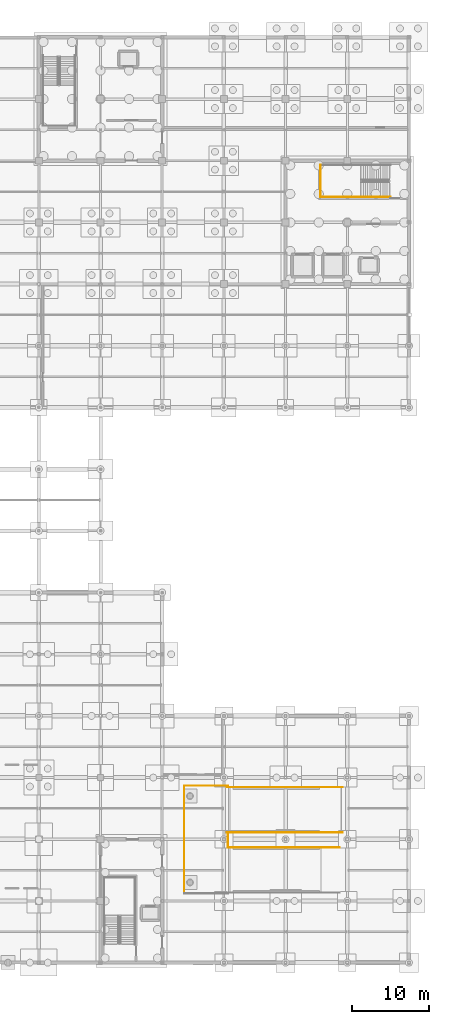
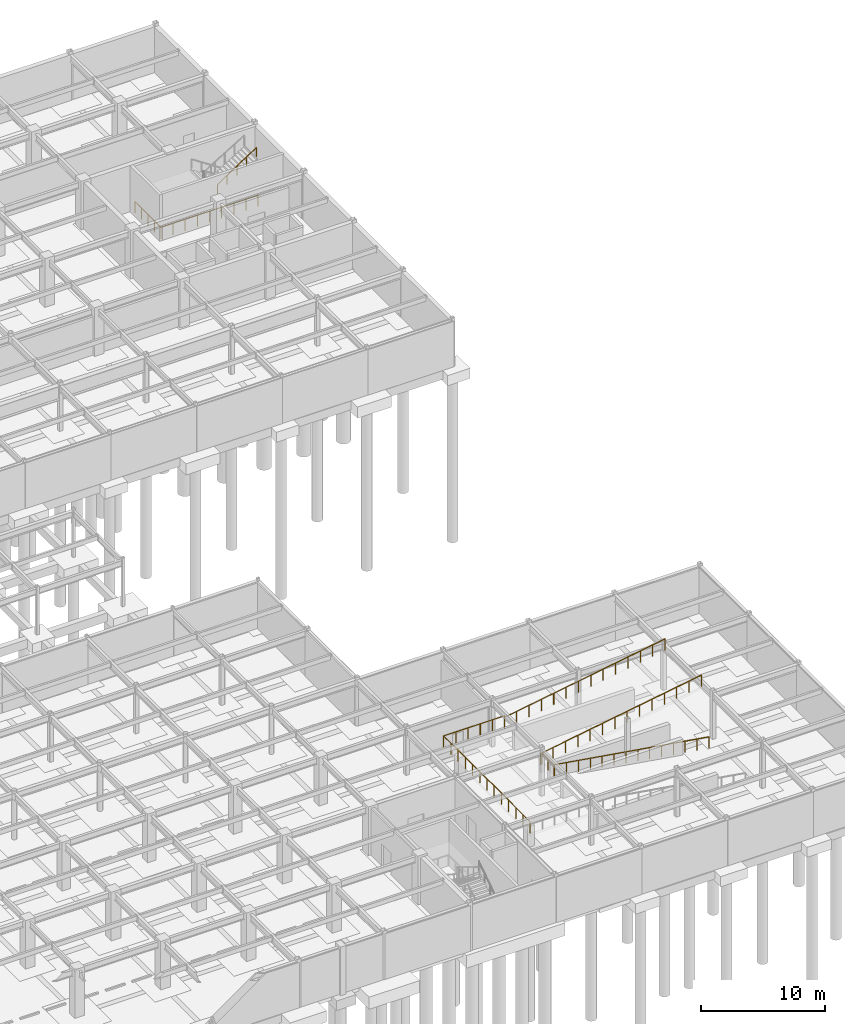
# One storey, part 103 of 105: 9 railings.
"""IFC4 building model written with IfcOpenShell, lengths in metres."""

from ifc_helpers import new_model, si_unit, direction, frame, origin, origin_2d, place, context, subcontext, project, spatial, circle, extrude, material, type_object, element, save


model = new_model("IFC4")

# Units and contexts
model_context = context("Model", 3, precision=1e-05, world=origin(), true_north=direction((0.0, 1.0)))
body_context = subcontext(model_context, "Body", "Model", "MODEL_VIEW")
ifc_project = project(units=[si_unit("LENGTHUNIT", "METRE"), si_unit("AREAUNIT", "SQUARE_METRE"), si_unit("VOLUMEUNIT", "CUBIC_METRE"), si_unit("PLANEANGLEUNIT", "RADIAN"), si_unit("MASSUNIT", "GRAM", prefix="KILO")], contexts=[model_context])

# Site, building, storey
site_placement = place(None, origin())
site = spatial("IfcSite", under=ifc_project, at=site_placement, CompositionType="ELEMENT")
building_placement = place(site_placement, origin())
building = spatial("IfcBuilding", under=site, at=building_placement, Name="Solmirada Galleria", CompositionType="ELEMENT")
storey_placement = place(building_placement, frame((0.0, 0.0, -4.800048828125)))
storey = spatial("IfcBuildingStorey", under=building, at=storey_placement, Name="B1", CompositionType="ELEMENT", Elevation=-4.800048828125)

# Railings
ifc_material = material(Name="Painted steel tubular railing", Category="steel")
railing_type_1 = type_object("IfcRailingType", Name="RAIL-STAIR-GUARD", PredefinedType="GUARDRAIL", material=ifc_material)
railing_1_placement = place(storey_placement, frame((173.6201171875, 99.2900390625, 0.0)))
element("IfcRailing", 1, at=railing_1_placement, inside=storey, type_object=railing_type_1, Name="Stair ST4 well edge guard B1-1", PredefinedType="GUARDRAIL", context=body_context, shape_type="SweptSolid", body=[
    extrude(circle(Radius=0.02392578125, at=origin_2d()), frame((0.0, 0.0, 1.09619140625), z_axis=(-1.0, 0.0, 0.0), x_axis=(0.0, -1.0, 0.0)), (0.0, 0.0, 1.0), 9.080078125),
    extrude(circle(Radius=0.02099609375, at=origin_2d()), origin(), (0.0, 0.0, 1.0), 1.068115234375),
    extrude(circle(Radius=0.02099609375, at=origin_2d()), frame((-1.135009765625, 0.0, 0.0)), (0.0, 0.0, 1.0), 1.068115234375),
    extrude(circle(Radius=0.02099609375, at=origin_2d()), frame((-2.27001953125, 0.0, 0.0)), (0.0, 0.0, 1.0), 1.068115234375),
    extrude(circle(Radius=0.02099609375, at=origin_2d()), frame((-3.405029296875, 0.0, 0.0)), (0.0, 0.0, 1.0), 1.068115234375),
    extrude(circle(Radius=0.02099609375, at=origin_2d()), frame((-4.5400390625, 0.0, 0.0)), (0.0, 0.0, 1.0), 1.068115234375),
    extrude(circle(Radius=0.02099609375, at=origin_2d()), frame((-5.675048828125, 0.0, 0.0)), (0.0, 0.0, 1.0), 1.068115234375),
    extrude(circle(Radius=0.02099609375, at=origin_2d()), frame((-6.81005859375, 0.0, 0.0)), (0.0, 0.0, 1.0), 1.068115234375),
    extrude(circle(Radius=0.02099609375, at=origin_2d()), frame((-7.945068359375, 0.0, 0.0)), (0.0, 0.0, 1.0), 1.068115234375),
    extrude(circle(Radius=0.02099609375, at=origin_2d()), frame((-9.080078125, 0.0, 0.0)), (0.0, 0.0, 1.0), 1.068115234375),
])
railing_2_placement = place(storey_placement, frame((164.5400390625, 99.2900390625, 0.0)))
element("IfcRailing", 2, at=railing_2_placement, inside=storey, type_object=railing_type_1, Name="Stair ST4 well edge guard B1-2", PredefinedType="GUARDRAIL", context=body_context, shape_type="SweptSolid", body=[
    extrude(circle(Radius=0.02392578125, at=origin_2d()), frame((0.0, 0.0, 1.09619140625), z_axis=(0.0, 1.0, 0.0), x_axis=(-1.0, 0.0, 0.0)), (0.0, 0.0, 1.0), 4.169921875),
    extrude(circle(Radius=0.02099609375, at=origin_2d()), origin(), (0.0, 0.0, 1.0), 1.068115234375),
    extrude(circle(Radius=0.02099609375, at=origin_2d()), frame((0.0, 1.04248046875, 0.0)), (0.0, 0.0, 1.0), 1.068115234375),
    extrude(circle(Radius=0.02099609375, at=origin_2d()), frame((0.0, 2.0849609375, 0.0)), (0.0, 0.0, 1.0), 1.068115234375),
    extrude(circle(Radius=0.02099609375, at=origin_2d()), frame((0.0, 3.12744140625, 0.0)), (0.0, 0.0, 1.0), 1.068115234375),
    extrude(circle(Radius=0.02099609375, at=origin_2d()), frame((0.0, 4.169921875, 0.0)), (0.0, 0.0, 1.0), 1.068115234375),
])
railing_3_placement = place(storey_placement, frame((167.0, 14.93994140625, 0.0)))
element("IfcRailing", 3, at=railing_3_placement, inside=storey, type_object=railing_type_1, Name="Vehicle ramp safety guardrail B1-2", PredefinedType="GUARDRAIL", context=body_context, shape_type="SweptSolid", body=[
    extrude(circle(Radius=0.02392578125, at=origin_2d()), frame((0.0, 0.0, 1.09619140625), z_axis=(-0.987482700238, 0.0, 0.157727349343), x_axis=(0.0, -1.0, 0.0)), (0.0, 0.0, 1.0), 14.58251953125),
    extrude(circle(Radius=0.02099609375, at=origin_2d()), origin(), (0.0, 0.0, 1.0), 1.068115234375),
    extrude(circle(Radius=0.02099609375, at=origin_2d()), frame((-1.107666015625, 0.0, 0.177001953125)), (0.0, 0.0, 1.0), 1.068115234375),
    extrude(circle(Radius=0.02099609375, at=origin_2d()), frame((-2.21533203125, 0.0, 0.353759765625)), (0.0, 0.0, 1.0), 1.068115234375),
    extrude(circle(Radius=0.02099609375, at=origin_2d()), frame((-3.322998046875, 0.0, 0.53076171875)), (0.0, 0.0, 1.0), 1.068115234375),
    extrude(circle(Radius=0.02099609375, at=origin_2d()), frame((-4.4306640625, 0.0, 0.707763671875)), (0.0, 0.0, 1.0), 1.068115234375),
    extrude(circle(Radius=0.02099609375, at=origin_2d()), frame((-5.538330078125, 0.0, 0.884521484375)), (0.0, 0.0, 1.0), 1.068115234375),
    extrude(circle(Radius=0.02099609375, at=origin_2d()), frame((-6.64599609375, 0.0, 1.0615234375)), (0.0, 0.0, 1.0), 1.068115234375),
    extrude(circle(Radius=0.02099609375, at=origin_2d()), frame((-7.75390625, 0.0, 1.238525390625)), (0.0, 0.0, 1.0), 1.068115234375),
    extrude(circle(Radius=0.02099609375, at=origin_2d()), frame((-8.861572265625, 0.0, 1.41552734375)), (0.0, 0.0, 1.0), 1.068115234375),
    extrude(circle(Radius=0.02099609375, at=origin_2d()), frame((-9.96923828125, 0.0, 1.59228515625)), (0.0, 0.0, 1.0), 1.068115234375),
    extrude(circle(Radius=0.02099609375, at=origin_2d()), frame((-11.076904296875, 0.0, 1.769287109375)), (0.0, 0.0, 1.0), 1.068115234375),
    extrude(circle(Radius=0.02099609375, at=origin_2d()), frame((-12.1845703125, 0.0, 1.9462890625)), (0.0, 0.0, 1.0), 1.068115234375),
    extrude(circle(Radius=0.02099609375, at=origin_2d()), frame((-13.292236328125, 0.0, 2.123046875)), (0.0, 0.0, 1.0), 1.068115234375),
    extrude(circle(Radius=0.02099609375, at=origin_2d()), frame((-14.39990234375, 0.0, 2.300048828125)), (0.0, 0.0, 1.0), 1.068115234375),
])
railing_4_placement = place(storey_placement, frame((152.39990234375, 16.860107421875, 2.300048828125)))
element("IfcRailing", 4, at=railing_4_placement, inside=storey, type_object=railing_type_1, Name="Vehicle ramp safety guardrail B1-3", PredefinedType="GUARDRAIL", context=body_context, shape_type="SweptSolid", body=[
    extrude(circle(Radius=0.02392578125, at=origin_2d()), frame((0.0, 0.0, 1.09619140625), z_axis=(0.986393923832, 0.0, 0.164398987305), x_axis=(0.0, 1.0, 0.0)), (0.0, 0.0, 1.0), 15.206787109375),
    extrude(circle(Radius=0.02099609375, at=origin_2d()), origin(), (0.0, 0.0, 1.0), 1.068115234375),
    extrude(circle(Radius=0.02099609375, at=origin_2d()), frame((1.15380859375, 0.0, 0.1923828125)), (0.0, 0.0, 1.0), 1.068115234375),
    extrude(circle(Radius=0.02099609375, at=origin_2d()), frame((2.3076171875, 0.0, 0.384521484375)), (0.0, 0.0, 1.0), 1.068115234375),
    extrude(circle(Radius=0.02099609375, at=origin_2d()), frame((3.46142578125, 0.0, 0.576904296875)), (0.0, 0.0, 1.0), 1.068115234375),
    extrude(circle(Radius=0.02099609375, at=origin_2d()), frame((4.615478515625, 0.0, 0.769287109375)), (0.0, 0.0, 1.0), 1.068115234375),
    extrude(circle(Radius=0.02099609375, at=origin_2d()), frame((5.769287109375, 0.0, 0.96142578125)), (0.0, 0.0, 1.0), 1.068115234375),
    extrude(circle(Radius=0.02099609375, at=origin_2d()), frame((6.923095703125, 0.0, 1.15380859375)), (0.0, 0.0, 1.0), 1.068115234375),
    extrude(circle(Radius=0.02099609375, at=origin_2d()), frame((8.076904296875, 0.0, 1.34619140625)), (0.0, 0.0, 1.0), 1.068115234375),
    extrude(circle(Radius=0.02099609375, at=origin_2d()), frame((9.230712890625, 0.0, 1.53857421875)), (0.0, 0.0, 1.0), 1.068115234375),
    extrude(circle(Radius=0.02099609375, at=origin_2d()), frame((10.384521484375, 0.0, 1.730712890625)), (0.0, 0.0, 1.0), 1.068115234375),
    extrude(circle(Radius=0.02099609375, at=origin_2d()), frame((11.53857421875, 0.0, 1.923095703125)), (0.0, 0.0, 1.0), 1.068115234375),
    extrude(circle(Radius=0.02099609375, at=origin_2d()), frame((12.6923828125, 0.0, 2.115478515625)), (0.0, 0.0, 1.0), 1.068115234375),
    extrude(circle(Radius=0.02099609375, at=origin_2d()), frame((13.84619140625, 0.0, 2.3076171875)), (0.0, 0.0, 1.0), 1.068115234375),
    extrude(circle(Radius=0.02099609375, at=origin_2d()), frame((15.0, 0.0, 2.5)), (0.0, 0.0, 1.0), 1.068115234375),
])
railing_5_placement = place(storey_placement, frame((152.39990234375, 22.739990234375, 2.300048828125)))
element("IfcRailing", 5, at=railing_5_placement, inside=storey, type_object=railing_type_1, Name="Vehicle ramp safety guardrail B1-4", PredefinedType="GUARDRAIL", context=body_context, shape_type="SweptSolid", body=[
    extrude(circle(Radius=0.02392578125, at=origin_2d()), frame((0.0, 0.0, 1.09619140625), z_axis=(0.986393923832, 0.0, 0.164398987305), x_axis=(0.0, 1.0, 0.0)), (0.0, 0.0, 1.0), 15.206787109375),
    extrude(circle(Radius=0.02099609375, at=origin_2d()), origin(), (0.0, 0.0, 1.0), 1.068115234375),
    extrude(circle(Radius=0.02099609375, at=origin_2d()), frame((1.15380859375, 0.0, 0.1923828125)), (0.0, 0.0, 1.0), 1.068115234375),
    extrude(circle(Radius=0.02099609375, at=origin_2d()), frame((2.3076171875, 0.0, 0.384521484375)), (0.0, 0.0, 1.0), 1.068115234375),
    extrude(circle(Radius=0.02099609375, at=origin_2d()), frame((3.46142578125, 0.0, 0.576904296875)), (0.0, 0.0, 1.0), 1.068115234375),
    extrude(circle(Radius=0.02099609375, at=origin_2d()), frame((4.615478515625, 0.0, 0.769287109375)), (0.0, 0.0, 1.0), 1.068115234375),
    extrude(circle(Radius=0.02099609375, at=origin_2d()), frame((5.769287109375, 0.0, 0.96142578125)), (0.0, 0.0, 1.0), 1.068115234375),
    extrude(circle(Radius=0.02099609375, at=origin_2d()), frame((6.923095703125, 0.0, 1.15380859375)), (0.0, 0.0, 1.0), 1.068115234375),
    extrude(circle(Radius=0.02099609375, at=origin_2d()), frame((8.076904296875, 0.0, 1.34619140625)), (0.0, 0.0, 1.0), 1.068115234375),
    extrude(circle(Radius=0.02099609375, at=origin_2d()), frame((9.230712890625, 0.0, 1.53857421875)), (0.0, 0.0, 1.0), 1.068115234375),
    extrude(circle(Radius=0.02099609375, at=origin_2d()), frame((10.384521484375, 0.0, 1.730712890625)), (0.0, 0.0, 1.0), 1.068115234375),
    extrude(circle(Radius=0.02099609375, at=origin_2d()), frame((11.53857421875, 0.0, 1.923095703125)), (0.0, 0.0, 1.0), 1.068115234375),
    extrude(circle(Radius=0.02099609375, at=origin_2d()), frame((12.6923828125, 0.0, 2.115478515625)), (0.0, 0.0, 1.0), 1.068115234375),
    extrude(circle(Radius=0.02099609375, at=origin_2d()), frame((13.84619140625, 0.0, 2.3076171875)), (0.0, 0.0, 1.0), 1.068115234375),
    extrude(circle(Radius=0.02099609375, at=origin_2d()), frame((15.0, 0.0, 2.5)), (0.0, 0.0, 1.0), 1.068115234375),
])
railing_6_placement = place(storey_placement, frame((146.860107421875, 8.9599609375, 2.300048828125)))
element("IfcRailing", 6, at=railing_6_placement, inside=storey, type_object=railing_type_1, Name="Vehicle ramp safety guardrail B1-6", PredefinedType="GUARDRAIL", context=body_context, shape_type="SweptSolid", body=[
    extrude(circle(Radius=0.02392578125, at=origin_2d()), frame((0.0, 0.0, 1.09619140625), z_axis=(0.0, 1.0, 0.0), x_axis=(-1.0, 0.0, 0.0)), (0.0, 0.0, 1.0), 13.97998046875),
    extrude(circle(Radius=0.02099609375, at=origin_2d()), origin(), (0.0, 0.0, 1.0), 1.068115234375),
    extrude(circle(Radius=0.02099609375, at=origin_2d()), frame((0.0, 1.1650390625, 0.0)), (0.0, 0.0, 1.0), 1.068115234375),
    extrude(circle(Radius=0.02099609375, at=origin_2d()), frame((0.0, 2.330078125, 0.0)), (0.0, 0.0, 1.0), 1.068115234375),
    extrude(circle(Radius=0.02099609375, at=origin_2d()), frame((0.0, 3.4951171875, 0.0)), (0.0, 0.0, 1.0), 1.068115234375),
    extrude(circle(Radius=0.02099609375, at=origin_2d()), frame((0.0, 4.659912109375, 0.0)), (0.0, 0.0, 1.0), 1.068115234375),
    extrude(circle(Radius=0.02099609375, at=origin_2d()), frame((0.0, 5.824951171875, 0.0)), (0.0, 0.0, 1.0), 1.068115234375),
    extrude(circle(Radius=0.02099609375, at=origin_2d()), frame((0.0, 6.989990234375, 0.0)), (0.0, 0.0, 1.0), 1.068115234375),
    extrude(circle(Radius=0.02099609375, at=origin_2d()), frame((0.0, 8.155029296875, 0.0)), (0.0, 0.0, 1.0), 1.068115234375),
    extrude(circle(Radius=0.02099609375, at=origin_2d()), frame((0.0, 9.320068359375, 0.0)), (0.0, 0.0, 1.0), 1.068115234375),
    extrude(circle(Radius=0.02099609375, at=origin_2d()), frame((0.0, 10.48486328125, 0.0)), (0.0, 0.0, 1.0), 1.068115234375),
    extrude(circle(Radius=0.02099609375, at=origin_2d()), frame((0.0, 11.64990234375, 0.0)), (0.0, 0.0, 1.0), 1.068115234375),
    extrude(circle(Radius=0.02099609375, at=origin_2d()), frame((0.0, 12.81494140625, 0.0)), (0.0, 0.0, 1.0), 1.068115234375),
    extrude(circle(Radius=0.02099609375, at=origin_2d()), frame((0.0, 13.97998046875, 0.0)), (0.0, 0.0, 1.0), 1.068115234375),
])
railing_7_placement = place(storey_placement, frame((146.860107421875, 22.93994140625, 2.300048828125)))
element("IfcRailing", 7, at=railing_7_placement, inside=storey, type_object=railing_type_1, Name="Vehicle ramp safety guardrail B1-7", PredefinedType="GUARDRAIL", context=body_context, shape_type="SweptSolid", body=[
    extrude(circle(Radius=0.02392578125, at=origin_2d()), frame((0.0, 0.0, 1.09619140625), z_axis=(1.0, 0.0, 0.0), x_axis=(0.0, 1.0, 0.0)), (0.0, 0.0, 1.0), 5.679931640625),
    extrude(circle(Radius=0.02099609375, at=origin_2d()), origin(), (0.0, 0.0, 1.0), 1.068115234375),
    extrude(circle(Radius=0.02099609375, at=origin_2d()), frame((1.135986328125, 0.0, 0.0)), (0.0, 0.0, 1.0), 1.068115234375),
    extrude(circle(Radius=0.02099609375, at=origin_2d()), frame((2.27197265625, 0.0, 0.0)), (0.0, 0.0, 1.0), 1.068115234375),
    extrude(circle(Radius=0.02099609375, at=origin_2d()), frame((3.407958984375, 0.0, 0.0)), (0.0, 0.0, 1.0), 1.068115234375),
    extrude(circle(Radius=0.02099609375, at=origin_2d()), frame((4.5439453125, 0.0, 0.0)), (0.0, 0.0, 1.0), 1.068115234375),
    extrude(circle(Radius=0.02099609375, at=origin_2d()), frame((5.679931640625, 0.0, 0.0)), (0.0, 0.0, 1.0), 1.068115234375),
])
railing_8_placement = place(storey_placement, frame((152.5400390625, 14.93994140625, 2.300048828125)))
element("IfcRailing", 8, at=railing_8_placement, inside=storey, type_object=railing_type_1, Name="Vehicle ramp safety guardrail B1-8", PredefinedType="GUARDRAIL", context=body_context, shape_type="SweptSolid", body=[
    extrude(circle(Radius=0.02392578125, at=origin_2d()), frame((0.0, 0.0, 1.09619140625), z_axis=(0.0, 1.0, 0.0), x_axis=(-1.0, 0.0, 0.0)), (0.0, 0.0, 1.0), 1.920166015625),
    extrude(circle(Radius=0.02099609375, at=origin_2d()), origin(), (0.0, 0.0, 1.0), 1.068115234375),
    extrude(circle(Radius=0.02099609375, at=origin_2d()), frame((0.0, 0.9599609375, 0.0)), (0.0, 0.0, 1.0), 1.068115234375),
    extrude(circle(Radius=0.02099609375, at=origin_2d()), frame((0.0, 1.920166015625, 0.0)), (0.0, 0.0, 1.0), 1.068115234375),
])
railing_type_2 = type_object("IfcRailingType", Name="RAIL-STAIR-HAND", PredefinedType="HANDRAIL", material=ifc_material)
railing_9_placement = place(storey_placement, frame((169.81005859375, 99.300048828125, 2.571533203125)))
element("IfcRailing", 9, at=railing_9_placement, inside=storey, type_object=railing_type_2, Name="B1 ST4 stair handrail 2", PredefinedType="HANDRAIL", context=body_context, shape_type="SweptSolid", body=[
    extrude(circle(Radius=0.02392578125, at=origin_2d()), frame((0.0, 0.0, 0.8759765625), z_axis=(0.834865213223, 0.0, 0.550454426587), x_axis=(0.0, 1.0, 0.0)), (0.0, 0.0, 1.0), 4.35986328125),
    extrude(circle(Radius=0.02099609375, at=origin_2d()), origin(), (0.0, 0.0, 1.0), 0.847900390625),
    extrude(circle(Radius=0.02099609375, at=origin_2d()), frame((0.909912109375, 0.0, 0.60009765625)), (0.0, 0.0, 1.0), 0.847900390625),
    extrude(circle(Radius=0.02099609375, at=origin_2d()), frame((1.81982421875, 0.0, 1.199951171875)), (0.0, 0.0, 1.0), 0.847900390625),
    extrude(circle(Radius=0.02099609375, at=origin_2d()), frame((2.72998046875, 0.0, 1.7998046875)), (0.0, 0.0, 1.0), 0.847900390625),
    extrude(circle(Radius=0.02099609375, at=origin_2d()), frame((3.639892578125, 0.0, 2.39990234375)), (0.0, 0.0, 1.0), 0.847900390625),
])

save(model, "model.ifc")
